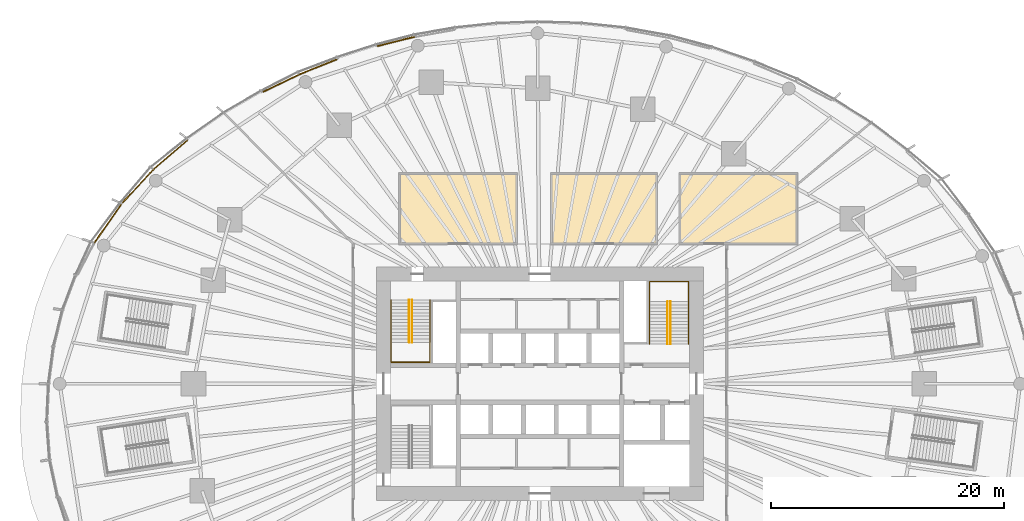
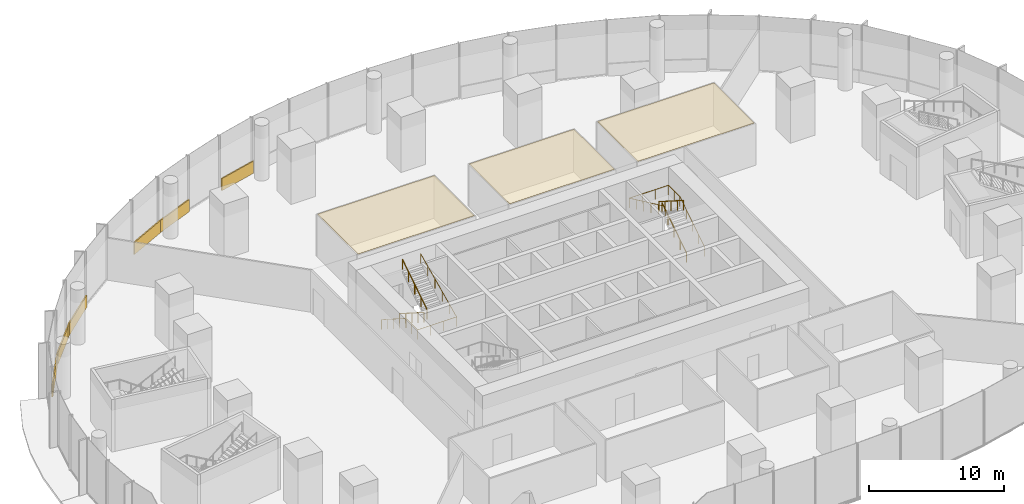
# One storey, part 26 of 28: 11 coverings, 6 railings.
"""IFC4 building model written with IfcOpenShell, lengths in metres."""

from ifc_helpers import new_model, si_unit, direction, frame, origin, origin_2d, place, context, subcontext, project, spatial, polyline, rectangle, circle, outline, extrude, material, layer, layer_set, type_object, element, save


model = new_model("IFC4")

# Units and contexts
model_context = context("Model", 3, precision=1e-05, world=origin(), true_north=direction((0.0, 1.0)))
body_context = subcontext(model_context, "Body", "Model", "MODEL_VIEW")
ifc_project = project(units=[si_unit("LENGTHUNIT", "METRE"), si_unit("AREAUNIT", "SQUARE_METRE"), si_unit("VOLUMEUNIT", "CUBIC_METRE"), si_unit("PLANEANGLEUNIT", "RADIAN"), si_unit("MASSUNIT", "GRAM", prefix="KILO")], contexts=[model_context])

# Site, building, storey
site_placement = place(None, origin())
site = spatial("IfcSite", under=ifc_project, at=site_placement, CompositionType="ELEMENT")
building_placement = place(site_placement, origin())
building = spatial("IfcBuilding", under=site, at=building_placement, Name="Ghaith Harvest Tower", CompositionType="ELEMENT")
storey_placement = place(building_placement, frame((0.0, 0.0, 5.0)))
storey = spatial("IfcBuildingStorey", under=building, at=storey_placement, Name="L01", CompositionType="ELEMENT", Elevation=5.0)

# Coverings
ifc_material_1 = material(Name="Mineral fibre ceiling tile", Category="gypsum")
ifc_layer_1 = layer(ifc_material_1, 0.014892578125)
ifc_layer_set_1 = layer_set([ifc_layer_1], Name="CEILING C3")
covering_type_1 = type_object("IfcCoveringType", Name="CEILING C3", PredefinedType="CEILING", material=ifc_layer_set_1)
covering_1_placement = place(storey_placement, frame((0.0, 0.0, 3.800048828125)))
element("IfcCovering", 1, at=covering_1_placement, inside=storey, type_object=covering_type_1, Name="Ceiling L01-01", PredefinedType="CEILING", context=body_context, shape_type="SweptSolid", body=[
    extrude(outline(polyline([(-12.0, 12.0), (-2.0, 12.0), (-2.0, 18.0), (-12.0, 18.0), (-12.0, 12.0)])), origin(), (0.0, 0.0, 1.0), 0.014892578125),
])
covering_2_placement = place(storey_placement, frame((0.0, 0.0, 3.800048828125)))
element("IfcCovering", 2, at=covering_2_placement, inside=storey, type_object=covering_type_1, Name="Ceiling L01-02", PredefinedType="CEILING", context=body_context, shape_type="SweptSolid", body=[
    extrude(outline(polyline([(1.0, 12.0), (10.0, 12.0), (10.0, 18.0), (1.0, 18.0), (1.0, 12.0)])), origin(), (0.0, 0.0, 1.0), 0.014892578125),
])
covering_3_placement = place(storey_placement, frame((0.0, 0.0, 3.800048828125)))
element("IfcCovering", 3, at=covering_3_placement, inside=storey, type_object=covering_type_1, Name="Ceiling L01-03", PredefinedType="CEILING", context=body_context, shape_type="SweptSolid", body=[
    extrude(outline(polyline([(12.0, 12.0), (22.0, 12.0), (22.0, 18.0), (12.0, 18.0), (12.0, 12.0)])), origin(), (0.0, 0.0, 1.0), 0.014892578125),
])

# Railings
ifc_material_2 = material(Name="Steel, black powder-coated", Category="steel")
railing_type = type_object("IfcRailingType", Name="HANDRAIL HR1", PredefinedType="HANDRAIL", material=ifc_material_2)
railing_1_placement = place(storey_placement, frame((-11.199951171875, 7.199951171875, 0.178466796875)))
element("IfcRailing", 4, at=railing_1_placement, inside=storey, type_object=railing_type, Name="Handrail HR1 stair ST1 L01 flight 1 inner", PredefinedType="HANDRAIL", context=body_context, shape_type="SweptSolid", body=[
    extrude(circle(Radius=0.02392578125, at=origin_2d()), frame((0.0, 0.0, 0.8759765625), z_axis=(0.0, -0.843111507901, 0.53773877045), x_axis=(1.0, 0.0, 0.0)), (0.0, 0.0, 1.0), 4.317138671875),
    extrude(circle(Radius=0.02099609375, at=origin_2d()), origin(), (0.0, 0.0, 1.0), 0.851806640625),
    extrude(circle(Radius=0.02099609375, at=origin_2d()), frame((0.0, -0.909912109375, 0.580322265625)), (0.0, 0.0, 1.0), 0.851806640625),
    extrude(circle(Radius=0.02099609375, at=origin_2d()), frame((0.0, -1.81982421875, 1.16064453125)), (0.0, 0.0, 1.0), 0.851806640625),
    extrude(circle(Radius=0.02099609375, at=origin_2d()), frame((0.0, -2.72998046875, 1.7412109375)), (0.0, 0.0, 1.0), 0.851806640625),
    extrude(circle(Radius=0.02099609375, at=origin_2d()), frame((0.0, -3.639892578125, 2.321533203125)), (0.0, 0.0, 1.0), 0.851806640625),
])
railing_2_placement = place(storey_placement, frame((-10.949951171875, 3.56005859375, 2.678466796875)))
element("IfcRailing", 5, at=railing_2_placement, inside=storey, type_object=railing_type, Name="Handrail HR1 stair ST1 L01 flight 2 inner", PredefinedType="HANDRAIL", context=body_context, shape_type="SweptSolid", body=[
    extrude(circle(Radius=0.02392578125, at=origin_2d()), frame((0.0, 0.0, 0.8759765625), z_axis=(0.0, 0.843111507901, 0.53773877045), x_axis=(-1.0, 0.0, 0.0)), (0.0, 0.0, 1.0), 4.317138671875),
    extrude(circle(Radius=0.02099609375, at=origin_2d()), origin(), (0.0, 0.0, 1.0), 0.851806640625),
    extrude(circle(Radius=0.02099609375, at=origin_2d()), frame((0.0, 0.909912109375, 0.580322265625)), (0.0, 0.0, 1.0), 0.851806640625),
    extrude(circle(Radius=0.02099609375, at=origin_2d()), frame((0.0, 1.81982421875, 1.16064453125)), (0.0, 0.0, 1.0), 0.851806640625),
    extrude(circle(Radius=0.02099609375, at=origin_2d()), frame((0.0, 2.72998046875, 1.7412109375)), (0.0, 0.0, 1.0), 0.851806640625),
    extrude(circle(Radius=0.02099609375, at=origin_2d()), frame((0.0, 3.639892578125, 2.321533203125)), (0.0, 0.0, 1.0), 0.851806640625),
])
railing_3_placement = place(storey_placement, frame((-12.75, 7.199951171875, 0.178466796875)))
element("IfcRailing", 6, at=railing_3_placement, inside=storey, type_object=railing_type, Name="Handrail HR1 stair ST1 L01 wall side", PredefinedType="HANDRAIL", context=body_context, shape_type="SweptSolid", body=[
    extrude(circle(Radius=0.02392578125, at=origin_2d()), frame((0.0, 0.0, 0.8759765625), z_axis=(0.0, -0.843111507901, 0.53773877045), x_axis=(1.0, 0.0, 0.0)), (0.0, 0.0, 1.0), 4.317138671875),
    extrude(circle(Radius=0.02392578125, at=origin_2d()), frame((0.0, -3.639892578125, 3.197265625), z_axis=(0.0, -1.0, 0.0), x_axis=(1.0, 0.0, 0.0)), (0.0, 0.0, 1.0), 1.7099609375),
    extrude(circle(Radius=0.02392578125, at=origin_2d()), frame((0.0, -5.349853515625, 3.197265625), z_axis=(1.0, 0.0, 0.0), x_axis=(0.0, 1.0, 0.0)), (0.0, 0.0, 1.0), 3.35009765625),
    extrude(circle(Radius=0.02392578125, at=origin_2d()), frame((3.35009765625, -5.349853515625, 3.197265625), z_axis=(0.0, 0.905962265858, 0.423358444868), x_axis=(-1.0, 0.0, 0.0)), (0.0, 0.0, 1.0), 5.9052734375),
    extrude(circle(Radius=0.02099609375, at=origin_2d()), origin(), (0.0, 0.0, 1.0), 0.851806640625),
    extrude(circle(Radius=0.02099609375, at=origin_2d()), frame((0.0, -0.909912109375, 0.580322265625)), (0.0, 0.0, 1.0), 0.851806640625),
    extrude(circle(Radius=0.02099609375, at=origin_2d()), frame((0.0, -1.81982421875, 1.16064453125)), (0.0, 0.0, 1.0), 0.851806640625),
    extrude(circle(Radius=0.02099609375, at=origin_2d()), frame((0.0, -2.72998046875, 1.7412109375)), (0.0, 0.0, 1.0), 0.851806640625),
    extrude(circle(Radius=0.02099609375, at=origin_2d()), frame((0.0, -3.639892578125, 2.321533203125)), (0.0, 0.0, 1.0), 0.851806640625),
    extrude(circle(Radius=0.02099609375, at=origin_2d()), frame((0.0, -4.494873046875, 2.321533203125)), (0.0, 0.0, 1.0), 0.851806640625),
    extrude(circle(Radius=0.02099609375, at=origin_2d()), frame((0.0, -5.349853515625, 2.321533203125)), (0.0, 0.0, 1.0), 0.851806640625),
    extrude(circle(Radius=0.02099609375, at=origin_2d()), frame((1.11669921875, -5.349853515625, 2.321533203125)), (0.0, 0.0, 1.0), 0.851806640625),
    extrude(circle(Radius=0.02099609375, at=origin_2d()), frame((2.2333984375, -5.349853515625, 2.321533203125)), (0.0, 0.0, 1.0), 0.851806640625),
    extrude(circle(Radius=0.02099609375, at=origin_2d()), frame((3.35009765625, -5.349853515625, 2.321533203125)), (0.0, 0.0, 1.0), 0.851806640625),
    extrude(circle(Radius=0.02099609375, at=origin_2d()), frame((3.35009765625, -4.27978515625, 2.821533203125)), (0.0, 0.0, 1.0), 0.851806640625),
    extrude(circle(Radius=0.02099609375, at=origin_2d()), frame((3.35009765625, -3.2099609375, 3.321533203125)), (0.0, 0.0, 1.0), 0.851806640625),
    extrude(circle(Radius=0.02099609375, at=origin_2d()), frame((3.35009765625, -2.139892578125, 3.821533203125)), (0.0, 0.0, 1.0), 0.851806640625),
    extrude(circle(Radius=0.02099609375, at=origin_2d()), frame((3.35009765625, -1.070068359375, 4.321533203125)), (0.0, 0.0, 1.0), 0.851806640625),
    extrude(circle(Radius=0.02099609375, at=origin_2d()), frame((3.35009765625, 0.0, 4.821533203125)), (0.0, 0.0, 1.0), 0.851806640625),
])
railing_4_placement = place(storey_placement, frame((11.199951171875, 3.39990234375, 0.178466796875)))
element("IfcRailing", 7, at=railing_4_placement, inside=storey, type_object=railing_type, Name="Handrail HR1 stair ST2 L01 flight 1 inner", PredefinedType="HANDRAIL", context=body_context, shape_type="SweptSolid", body=[
    extrude(circle(Radius=0.02392578125, at=origin_2d()), frame((0.0, 0.0, 0.8759765625), z_axis=(0.0, 0.843127859045, 0.537713132908), x_axis=(-1.0, 0.0, 0.0)), (0.0, 0.0, 1.0), 4.3173828125),
    extrude(circle(Radius=0.02099609375, at=origin_2d()), origin(), (0.0, 0.0, 1.0), 0.851806640625),
    extrude(circle(Radius=0.02099609375, at=origin_2d()), frame((0.0, 0.91015625, 0.580322265625)), (0.0, 0.0, 1.0), 0.851806640625),
    extrude(circle(Radius=0.02099609375, at=origin_2d()), frame((0.0, 1.820068359375, 1.16064453125)), (0.0, 0.0, 1.0), 0.851806640625),
    extrude(circle(Radius=0.02099609375, at=origin_2d()), frame((0.0, 2.72998046875, 1.7412109375)), (0.0, 0.0, 1.0), 0.851806640625),
    extrude(circle(Radius=0.02099609375, at=origin_2d()), frame((0.0, 3.64013671875, 2.321533203125)), (0.0, 0.0, 1.0), 0.851806640625),
])
railing_5_placement = place(storey_placement, frame((10.949951171875, 7.0400390625, 2.678466796875)))
element("IfcRailing", 8, at=railing_5_placement, inside=storey, type_object=railing_type, Name="Handrail HR1 stair ST2 L01 flight 2 inner", PredefinedType="HANDRAIL", context=body_context, shape_type="SweptSolid", body=[
    extrude(circle(Radius=0.02392578125, at=origin_2d()), frame((0.0, 0.0, 0.8759765625), z_axis=(0.0, -0.843127859045, 0.537713132908), x_axis=(1.0, 0.0, 0.0)), (0.0, 0.0, 1.0), 4.3173828125),
    extrude(circle(Radius=0.02099609375, at=origin_2d()), origin(), (0.0, 0.0, 1.0), 0.851806640625),
    extrude(circle(Radius=0.02099609375, at=origin_2d()), frame((0.0, -0.91015625, 0.580322265625)), (0.0, 0.0, 1.0), 0.851806640625),
    extrude(circle(Radius=0.02099609375, at=origin_2d()), frame((0.0, -1.820068359375, 1.16064453125)), (0.0, 0.0, 1.0), 0.851806640625),
    extrude(circle(Radius=0.02099609375, at=origin_2d()), frame((0.0, -2.72998046875, 1.7412109375)), (0.0, 0.0, 1.0), 0.851806640625),
    extrude(circle(Radius=0.02099609375, at=origin_2d()), frame((0.0, -3.64013671875, 2.321533203125)), (0.0, 0.0, 1.0), 0.851806640625),
])
railing_6_placement = place(storey_placement, frame((12.75, 3.39990234375, 0.178466796875)))
element("IfcRailing", 9, at=railing_6_placement, inside=storey, type_object=railing_type, Name="Handrail HR1 stair ST2 L01 wall side", PredefinedType="HANDRAIL", context=body_context, shape_type="SweptSolid", body=[
    extrude(circle(Radius=0.02392578125, at=origin_2d()), frame((0.0, 0.0, 0.8759765625), z_axis=(0.0, 0.843127859045, 0.537713132908), x_axis=(-1.0, 0.0, 0.0)), (0.0, 0.0, 1.0), 4.3173828125),
    extrude(circle(Radius=0.02392578125, at=origin_2d()), frame((0.0, 3.64013671875, 3.197265625), z_axis=(0.0, 1.0, 0.0), x_axis=(-1.0, 0.0, 0.0)), (0.0, 0.0, 1.0), 1.7099609375),
    extrude(circle(Radius=0.02392578125, at=origin_2d()), frame((0.0, 5.35009765625, 3.197265625), z_axis=(-1.0, 0.0, 0.0), x_axis=(0.0, -1.0, 0.0)), (0.0, 0.0, 1.0), 3.35009765625),
    extrude(circle(Radius=0.02392578125, at=origin_2d()), frame((-3.35009765625, 5.35009765625, 3.197265625), z_axis=(0.0, -0.905969675553, 0.423342588193), x_axis=(1.0, 0.0, 0.0)), (0.0, 0.0, 1.0), 5.9052734375),
    extrude(circle(Radius=0.02099609375, at=origin_2d()), origin(), (0.0, 0.0, 1.0), 0.851806640625),
    extrude(circle(Radius=0.02099609375, at=origin_2d()), frame((0.0, 0.91015625, 0.580322265625)), (0.0, 0.0, 1.0), 0.851806640625),
    extrude(circle(Radius=0.02099609375, at=origin_2d()), frame((0.0, 1.820068359375, 1.16064453125)), (0.0, 0.0, 1.0), 0.851806640625),
    extrude(circle(Radius=0.02099609375, at=origin_2d()), frame((0.0, 2.72998046875, 1.7412109375)), (0.0, 0.0, 1.0), 0.851806640625),
    extrude(circle(Radius=0.02099609375, at=origin_2d()), frame((0.0, 3.64013671875, 2.321533203125)), (0.0, 0.0, 1.0), 0.851806640625),
    extrude(circle(Radius=0.02099609375, at=origin_2d()), frame((0.0, 4.4951171875, 2.321533203125)), (0.0, 0.0, 1.0), 0.851806640625),
    extrude(circle(Radius=0.02099609375, at=origin_2d()), frame((0.0, 5.35009765625, 2.321533203125)), (0.0, 0.0, 1.0), 0.851806640625),
    extrude(circle(Radius=0.02099609375, at=origin_2d()), frame((-1.11669921875, 5.35009765625, 2.321533203125)), (0.0, 0.0, 1.0), 0.851806640625),
    extrude(circle(Radius=0.02099609375, at=origin_2d()), frame((-2.2333984375, 5.35009765625, 2.321533203125)), (0.0, 0.0, 1.0), 0.851806640625),
    extrude(circle(Radius=0.02099609375, at=origin_2d()), frame((-3.35009765625, 5.35009765625, 2.321533203125)), (0.0, 0.0, 1.0), 0.851806640625),
    extrude(circle(Radius=0.02099609375, at=origin_2d()), frame((-3.35009765625, 4.280029296875, 2.821533203125)), (0.0, 0.0, 1.0), 0.851806640625),
    extrude(circle(Radius=0.02099609375, at=origin_2d()), frame((-3.35009765625, 3.2099609375, 3.321533203125)), (0.0, 0.0, 1.0), 0.851806640625),
    extrude(circle(Radius=0.02099609375, at=origin_2d()), frame((-3.35009765625, 2.14013671875, 3.821533203125)), (0.0, 0.0, 1.0), 0.851806640625),
    extrude(circle(Radius=0.02099609375, at=origin_2d()), frame((-3.35009765625, 1.070068359375, 4.321533203125)), (0.0, 0.0, 1.0), 0.851806640625),
    extrude(circle(Radius=0.02099609375, at=origin_2d()), frame((-3.35009765625, 0.0, 4.821533203125)), (0.0, 0.0, 1.0), 0.851806640625),
])

# Coverings
ifc_material_3 = material(Name="Insulated aluminium spandrel panel on steel framing", Category="steel")
ifc_layer_2 = layer(ifc_material_3, 0.10009765625)
ifc_layer_set_2 = layer_set([ifc_layer_2], Name="SLAB EDGE UPSTAND 1100x100")
covering_type_2 = type_object("IfcCoveringType", Name="SLAB EDGE UPSTAND 1100x100", PredefinedType="CLADDING", material=ifc_layer_set_2)
covering_4_placement = place(storey_placement, frame((-12.330322265625, 29.32861328125, 0.0), z_axis=(0.0, 0.0, 1.0), x_axis=(-0.969536544234, -0.244946707255, 0.0)))
element("IfcCovering", 10, at=covering_4_placement, inside=storey, type_object=covering_type_2, Name="Slab edge upstand 1 bay 07 L01", PredefinedType="CLADDING", context=body_context, shape_type="SweptSolid", body=[
    extrude(rectangle(XDim=3.27490234375, YDim=0.10009765625, at=origin_2d()), origin(), (0.0, 0.0, 1.0), 1.10009765625),
])
covering_5_placement = place(storey_placement, frame((-18.998291015625, 27.154296875, 0.0), z_axis=(0.0, 0.0, 1.0), x_axis=(-0.928146567781, -0.372214922749, 0.0)))
element("IfcCovering", 11, at=covering_5_placement, inside=storey, type_object=covering_type_2, Name="Slab edge upstand 3 bay 07 L01", PredefinedType="CLADDING", context=body_context, shape_type="SweptSolid", body=[
    extrude(rectangle(XDim=3.464111328125, YDim=0.10009765625, at=origin_2d()), origin(), (0.0, 0.0, 1.0), 1.10009765625),
])
covering_6_placement = place(storey_placement, frame((-22.157958984375, 25.7587890625, 0.0), z_axis=(0.0, 0.0, 1.0), x_axis=(-0.900242920536, -0.435387969546, 0.0)))
element("IfcCovering", 12, at=covering_6_placement, inside=storey, type_object=covering_type_2, Name="Slab edge upstand 1 bay 08 L01", PredefinedType="CLADDING", context=body_context, shape_type="SweptSolid", body=[
    extrude(rectangle(XDim=3.45556640625, YDim=0.10009765625, at=origin_2d()), origin(), (0.0, 0.0, 1.0), 1.10009765625),
])
covering_7_placement = place(storey_placement, frame((-31.640625, 19.62890625, 0.0), z_axis=(0.0, 0.0, 1.0), x_axis=(-0.759360906785, -0.650669665227, 0.0)))
element("IfcCovering", 13, at=covering_7_placement, inside=storey, type_object=covering_type_2, Name="Slab edge upstand 1 bay 09 L01", PredefinedType="CLADDING", context=body_context, shape_type="SweptSolid", body=[
    extrude(rectangle(XDim=3.822998046875, YDim=0.10009765625, at=origin_2d()), origin(), (0.0, 0.0, 1.0), 1.10009765625),
])
covering_8_placement = place(storey_placement, frame((-33.271484375, 18.190673828125, 0.0), z_axis=(0.0, 0.0, 1.0), x_axis=(-0.678856404062, -0.734271055309, 0.0)))
element("IfcCovering", 14, at=covering_8_placement, inside=storey, type_object=covering_type_2, Name="Slab edge upstand 2 bay 09 L01", PredefinedType="CLADDING", context=body_context, shape_type="SweptSolid", body=[
    extrude(rectangle(XDim=0.541015625, YDim=0.10009765625, at=origin_2d()), origin(), (0.0, 0.0, 1.0), 1.10009765625),
])
covering_9_placement = place(storey_placement, frame((-34.63232421875, 16.71875, 0.0), z_axis=(0.0, 0.0, 1.0), x_axis=(-0.678856404062, -0.734271055309, 0.0)))
element("IfcCovering", 15, at=covering_9_placement, inside=storey, type_object=covering_type_2, Name="Slab edge upstand 2 bay 09 L01", PredefinedType="CLADDING", context=body_context, shape_type="SweptSolid", body=[
    extrude(rectangle(XDim=3.30126953125, YDim=0.10009765625, at=origin_2d()), origin(), (0.0, 0.0, 1.0), 1.10009765625),
])
covering_10_placement = place(storey_placement, frame((-36.90087890625, 13.893310546875, 0.0), z_axis=(0.0, 0.0, 1.0), x_axis=(-0.574389228608, -0.818582319659, 0.0)))
element("IfcCovering", 16, at=covering_10_placement, inside=storey, type_object=covering_type_2, Name="Slab edge upstand 3 bay 09 L01", PredefinedType="CLADDING", context=body_context, shape_type="SweptSolid", body=[
    extrude(rectangle(XDim=3.57568359375, YDim=0.10009765625, at=origin_2d()), origin(), (0.0, 0.0, 1.0), 1.10009765625),
])
covering_11_placement = place(storey_placement, frame((-38.068115234375, 12.22998046875, 0.0), z_axis=(0.0, 0.0, 1.0), x_axis=(-0.574389228608, -0.818582319659, 0.0)))
element("IfcCovering", 17, at=covering_11_placement, inside=storey, type_object=covering_type_2, Name="Slab edge upstand 3 bay 09 L01", PredefinedType="CLADDING", context=body_context, shape_type="SweptSolid", body=[
    extrude(rectangle(XDim=0.3623046875, YDim=0.10009765625, at=origin_2d()), origin(), (0.0, 0.0, 1.0), 1.10009765625),
])

save(model, "model.ifc")
